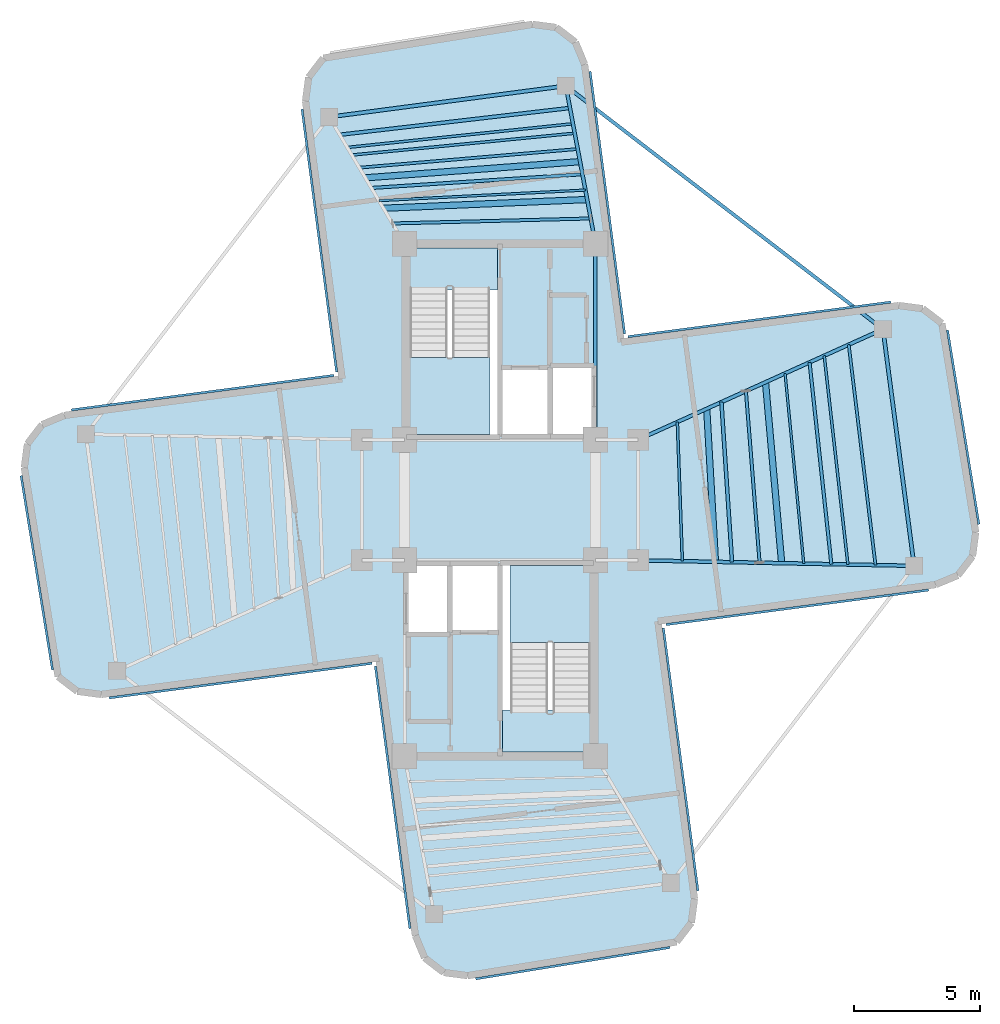
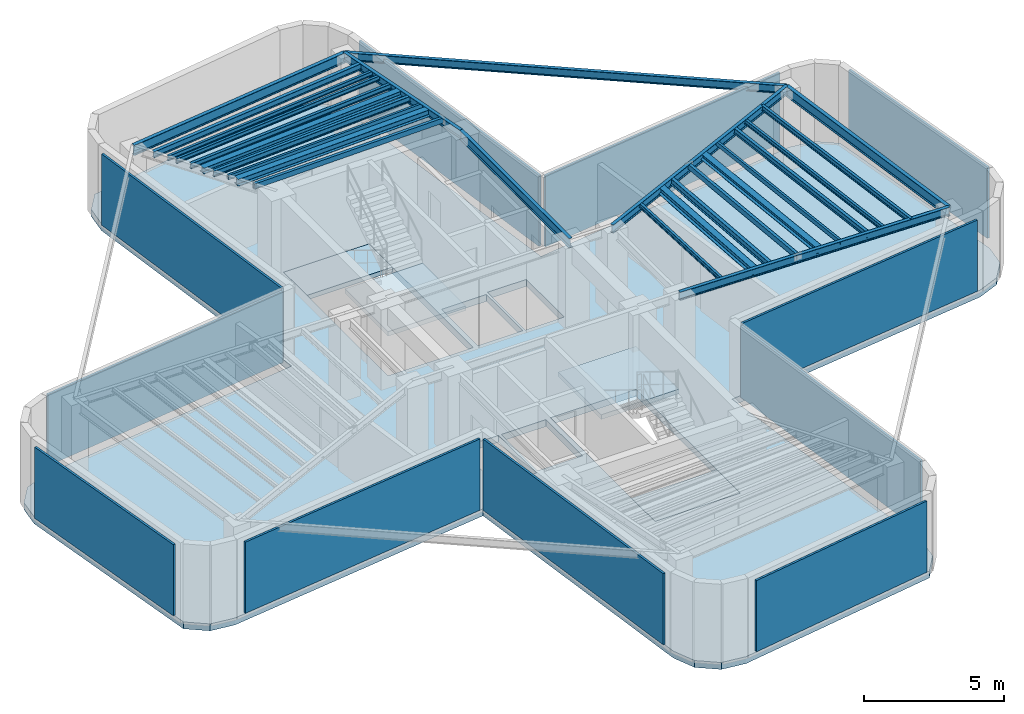
# One storey, part 2 of 6: 25 beams, 11 plates, 5 slabs, 2 elements without a shape of their own.
"""IFC4 building model written with IfcOpenShell, lengths in metres."""

from ifc_helpers import new_model, si_unit, direction, frame, origin, origin_2d, place, context, subcontext, project, spatial, polyline, rectangle, hollow_rectangle, i_section, outline, extrude, source, transform, mapped, material, layer, layer_set, material_profile, profile_set, type_object, element, aggregate, save


model = new_model("IFC4")

# Units and contexts
model_context = context("Model", 3, precision=1e-05, world=origin(), true_north=direction((0.0, 1.0)))
body_context = subcontext(model_context, "Body", "Model", "MODEL_VIEW")
ifc_project = project(units=[si_unit("LENGTHUNIT", "METRE"), si_unit("AREAUNIT", "SQUARE_METRE"), si_unit("VOLUMEUNIT", "CUBIC_METRE"), si_unit("PLANEANGLEUNIT", "RADIAN"), si_unit("MASSUNIT", "GRAM", prefix="KILO")], contexts=[model_context])

# Site, building, storey
site_placement = place(None, origin())
site = spatial("IfcSite", under=ifc_project, at=site_placement, CompositionType="ELEMENT")
building_placement = place(site_placement, origin())
building = spatial("IfcBuilding", under=site, at=building_placement, Name="Sahyath Konkavel Grand Hotel", CompositionType="ELEMENT")
storey_placement = place(building_placement, frame((0.0, 0.0, 288.89990234375)))
storey = spatial("IfcBuildingStorey", under=building, at=storey_placement, Name="L80", CompositionType="ELEMENT", Elevation=288.89990234375)

# Beams
ifc_material_1 = material(Name="Steel E350", Category="steel")
ifc_material_profile_1 = material_profile(ifc_material_1, i_section(OverallWidth=0.139892578125, OverallDepth=0.39990234375, WebThickness=0.0087890625, FlangeThickness=0.01611328125, FilletRadius=0.013916015625, at=origin_2d()), Name="ISMB 400")
ifc_profile_set_1 = profile_set([ifc_material_profile_1], Name="Steel E350")
beam_type_1 = type_object("IfcBeamType", Name="BM-ISMB400", PredefinedType="BEAM", material=ifc_profile_set_1)
shared_shape_1 = source(origin(), body_context, "Body", "SweptSolid", [
    extrude(i_section(OverallWidth=0.139892578125, OverallDepth=0.39990234375, WebThickness=0.0087890625, FlangeThickness=0.01611328125, FilletRadius=0.013916015625, at=origin_2d()), origin(), (0.0, 0.0, 1.0), 7.800048828125),
])
beam_1_placement = place(storey_placement, frame((3.800048828125, 2.39990234375, 3.300048828125), z_axis=(0.0, 1.0, 0.0), x_axis=(-1.0, 0.0, 0.0)))
element("IfcBeam", 1, at=beam_1_placement, inside=storey, type_object=beam_type_1, Name="str:bm:L80:NC-E", PredefinedType="BEAM", context=body_context, shape_type="MappedRepresentation", body=[
    mapped(shared_shape_1, transform((0.0, 0.0, 0.0), scale=1.0)),
])
ifc_material_profile_2 = material_profile(ifc_material_1, i_section(OverallWidth=0.14990234375, OverallDepth=0.449951171875, WebThickness=0.009521484375, FlangeThickness=0.017333984375, FilletRadius=0.014892578125, at=origin_2d()), Name="ISMB 450")
ifc_profile_set_2 = profile_set([ifc_material_profile_2], Name="Steel E350")
beam_type_2 = type_object("IfcBeamType", Name="BM-ISMB450", PredefinedType="BEAM", material=ifc_profile_set_2)
shared_shape_2 = source(origin(), body_context, "Body", "SweptSolid", [
    extrude(i_section(OverallWidth=0.14990234375, OverallDepth=0.449951171875, WebThickness=0.009521484375, FlangeThickness=0.017333984375, FilletRadius=0.014892578125, at=origin_2d()), origin(), (0.0, 0.0, 1.0), 9.5),
])
for number, where, z_axis, x_axis, name in (
    (2, (16.483154296875, -2.620849609375, 3.275146484375), (-0.130525643939, 0.991444933556, 0.0), (-0.991444933556, -0.130525643939, 0.0), "L80 Wing Tip Edge Beam E"),
    (3, (2.620849609375, 16.483154296875, 3.275146484375), (-0.991444933556, -0.130525643939, 0.0), (0.130525643939, -0.991444933556, 0.0), "L80 Wing Tip Edge Beam N"),
):
    element("IfcBeam", number, at=place(storey_placement, frame(where, z_axis=z_axis, x_axis=x_axis)), inside=storey, type_object=beam_type_2, Name=name, PredefinedType="BEAM", context=body_context, shape_type="MappedRepresentation", body=[
        mapped(shared_shape_2, transform((0.0, 0.0, 0.0), scale=1.0)),
    ])
ifc_material_profile_3 = material_profile(ifc_material_1, i_section(OverallWidth=0.139892578125, OverallDepth=0.35009765625, WebThickness=0.008056640625, FlangeThickness=0.01416015625, FilletRadius=0.013916015625, at=origin_2d()), Name="ISMB 350")
ifc_profile_set_3 = profile_set([ifc_material_profile_3], Name="Steel E350")
beam_type_3 = type_object("IfcBeamType", Name="BM-ISMB350", PredefinedType="BEAM", material=ifc_profile_set_3)
shared_shape_3 = source(origin(), body_context, "Body", "SweptSolid", [
    extrude(i_section(OverallWidth=0.139892578125, OverallDepth=0.35009765625, WebThickness=0.008056640625, FlangeThickness=0.01416015625, FilletRadius=0.013916015625, at=origin_2d()), origin(), (0.0, 0.0, 1.0), 10.9853515625),
])
beam_2_placement = place(storey_placement, frame((5.5, -2.39990234375, 3.3251953125), z_axis=(0.999797716106, -0.020112853337, 0.0), x_axis=(0.020112853337, 0.999797716106, 0.0)))
element("IfcBeam", 4, at=beam_2_placement, inside=storey, type_object=beam_type_3, Name="L80 Cruciform Radial Girder EA", PredefinedType="BEAM", context=body_context, shape_type="MappedRepresentation", body=[
    mapped(shared_shape_3, transform((0.0, 0.0, 0.0), scale=1.0)),
])
shared_shape_4 = source(origin(), body_context, "Body", "SweptSolid", [
    extrude(i_section(OverallWidth=0.139892578125, OverallDepth=0.35009765625, WebThickness=0.008056640625, FlangeThickness=0.01416015625, FilletRadius=0.013916015625, at=origin_2d()), origin(), (0.0, 0.0, 1.0), 10.689697265625),
])
beam_3_placement = place(storey_placement, frame((5.5, 2.39990234375, 3.3251953125), z_axis=(0.911447410295, 0.411416599405, 0.0), x_axis=(-0.411416599405, 0.911447410295, 0.0)))
element("IfcBeam", 5, at=beam_3_placement, inside=storey, type_object=beam_type_3, Name="L80 Cruciform Radial Girder EB", PredefinedType="BEAM", context=body_context, shape_type="MappedRepresentation", body=[
    mapped(shared_shape_4, transform((0.0, 0.0, 0.0), scale=1.0)),
])
shared_shape_5 = source(origin(), body_context, "Body", "SweptSolid", [
    extrude(i_section(OverallWidth=0.139892578125, OverallDepth=0.35009765625, WebThickness=0.008056640625, FlangeThickness=0.01416015625, FilletRadius=0.013916015625, at=origin_2d()), origin(), (0.0, 0.0, 1.0), 6.392822265625),
])
beam_4_placement = place(storey_placement, frame((3.800048828125, 10.199951171875, 3.3251953125), z_axis=(-0.184454547999, 0.982841044993, 0.0), x_axis=(-0.982841044993, -0.184454547999, 0.0)))
element("IfcBeam", 6, at=beam_4_placement, inside=storey, type_object=beam_type_3, Name="L80 Cruciform Radial Girder NA", PredefinedType="BEAM", context=body_context, shape_type="MappedRepresentation", body=[
    mapped(shared_shape_5, transform((0.0, 0.0, 0.0), scale=1.0)),
])
shared_shape_6 = source(origin(), body_context, "Body", "SweptSolid", [
    extrude(i_section(OverallWidth=0.139892578125, OverallDepth=0.35009765625, WebThickness=0.008056640625, FlangeThickness=0.01416015625, FilletRadius=0.013916015625, at=origin_2d()), origin(), (0.0, 0.0, 1.0), 15.909912109375),
])
beam_5_placement = place(storey_placement, frame((15.2431640625, 6.7978515625, 3.3251953125), z_axis=(-0.79335758392, 0.608755898564, 0.0), x_axis=(-0.608755898564, -0.79335758392, 0.0)))
element("IfcBeam", 7, at=beam_5_placement, inside=storey, type_object=beam_type_3, Name="L80 Re-Entrant Tie Beam NE", PredefinedType="BEAM", context=body_context, shape_type="MappedRepresentation", body=[
    mapped(shared_shape_6, transform((0.0, 0.0, 0.0), scale=1.0)),
])
ifc_material_profile_4 = material_profile(ifc_material_1, i_section(OverallWidth=0.25, OverallDepth=0.300048828125, WebThickness=0.009521484375, FlangeThickness=0.010498046875, FilletRadius=0.010986328125, at=origin_2d()), Name="ISHB 300")
ifc_profile_set_4 = profile_set([ifc_material_profile_4], Name="Steel E350")
beam_type_4 = type_object("IfcBeamType", Name="BM-ISHB300", PredefinedType="BEAM", material=ifc_profile_set_4)
shared_shape_7 = source(origin(), body_context, "Body", "SweptSolid", [
    extrude(i_section(OverallWidth=0.25, OverallDepth=0.300048828125, WebThickness=0.009521484375, FlangeThickness=0.010498046875, FilletRadius=0.010986328125, at=origin_2d()), origin(), (0.0, 0.0, 1.0), 6.10302734375),
])
beam_6_placement = place(storey_placement, frame((8.5751953125, -2.4619140625, 3.35009765625), z_axis=(-0.056883465537, 0.99838082481, 0.0), x_axis=(-0.99838082481, -0.056883465537, 0.0)))
element("IfcBeam", 8, at=beam_6_placement, inside=storey, type_object=beam_type_4, Name="L80 Secondary Floor Beam E-1", PredefinedType="BEAM", context=body_context, shape_type="MappedRepresentation", body=[
    mapped(shared_shape_7, transform((0.0, 0.0, 0.0), scale=1.0)),
])
ifc_material_profile_5 = material_profile(ifc_material_1, i_section(OverallWidth=0.25, OverallDepth=0.25, WebThickness=0.0087890625, FlangeThickness=0.009765625, FilletRadius=0.010009765625, at=origin_2d()), Name="ISHB 250")
ifc_profile_set_5 = profile_set([ifc_material_profile_5], Name="Steel E350")
beam_type_5 = type_object("IfcBeamType", Name="BM-ISHB250", PredefinedType="BEAM", material=ifc_profile_set_5)
shared_shape_8 = source(origin(), body_context, "Body", "SweptSolid", [
    extrude(i_section(OverallWidth=0.25, OverallDepth=0.25, WebThickness=0.0087890625, FlangeThickness=0.009765625, FilletRadius=0.010009765625, at=origin_2d()), origin(), (0.0, 0.0, 1.0), 7.230712890625),
])
beam_7_placement = place(storey_placement, frame((11.211181640625, -2.514892578125, 3.375), z_axis=(-0.089171800482, 0.996016259907, 0.0), x_axis=(-0.996016259907, -0.089171800482, 0.0)))
element("IfcBeam", 9, at=beam_7_placement, inside=storey, type_object=beam_type_5, Name="L80 Secondary Floor Beam E-2", PredefinedType="BEAM", context=body_context, shape_type="MappedRepresentation", body=[
    mapped(shared_shape_8, transform((0.0, 0.0, 0.0), scale=1.0)),
])
ifc_material_profile_6 = material_profile(ifc_material_1, i_section(OverallWidth=0.10009765625, OverallDepth=0.199951171875, WebThickness=0.005615234375, FlangeThickness=0.0107421875, FilletRadius=0.010986328125, at=origin_2d()), Name="ISMB 200")
ifc_profile_set_6 = profile_set([ifc_material_profile_6], Name="Steel E350")
beam_type_6 = type_object("IfcBeamType", Name="BM-ISMB200", PredefinedType="BEAM", material=ifc_profile_set_6)
shared_shape_9 = source(origin(), body_context, "Body", "SweptSolid", [
    extrude(i_section(OverallWidth=0.10009765625, OverallDepth=0.199951171875, WebThickness=0.005615234375, FlangeThickness=0.0107421875, FilletRadius=0.010986328125, at=origin_2d()), origin(), (0.0, 0.0, 1.0), 8.36328125),
])
beam_8_placement = place(storey_placement, frame((13.84716796875, -2.56787109375, 3.400146484375), z_axis=(-0.112680437677, 0.99363127918, 0.0), x_axis=(-0.99363127918, -0.112680437677, 0.0)))
element("IfcBeam", 10, at=beam_8_placement, inside=storey, type_object=beam_type_6, Name="L80 Secondary Floor Beam E-3", PredefinedType="BEAM", context=body_context, shape_type="MappedRepresentation", body=[
    mapped(shared_shape_9, transform((0.0, 0.0, 0.0), scale=1.0)),
])
shared_shape_10 = source(origin(), body_context, "Body", "SweptSolid", [
    extrude(i_section(OverallWidth=0.25, OverallDepth=0.300048828125, WebThickness=0.009521484375, FlangeThickness=0.010498046875, FilletRadius=0.010986328125, at=origin_2d()), origin(), (0.0, 0.0, 1.0), 8.11669921875),
])
beam_9_placement = place(storey_placement, frame((3.469970703125, 11.959228515625, 3.35009765625), z_axis=(-0.999084879956, -0.042771516718, 0.0), x_axis=(0.042771516718, -0.999084879956, 0.0)))
element("IfcBeam", 11, at=beam_9_placement, inside=storey, type_object=beam_type_4, Name="L80 Secondary Floor Beam N-1", PredefinedType="BEAM", context=body_context, shape_type="MappedRepresentation", body=[
    mapped(shared_shape_10, transform((0.0, 0.0, 0.0), scale=1.0)),
])
shared_shape_11 = source(origin(), body_context, "Body", "SweptSolid", [
    extrude(i_section(OverallWidth=0.25, OverallDepth=0.25, WebThickness=0.0087890625, FlangeThickness=0.009765625, FilletRadius=0.010009765625, at=origin_2d()), origin(), (0.0, 0.0, 1.0), 8.570068359375),
])
beam_10_placement = place(storey_placement, frame((3.18701171875, 13.46728515625, 3.375), z_axis=(-0.997165854664, -0.075234688098, 0.0), x_axis=(0.075234688098, -0.997165854664, 0.0)))
element("IfcBeam", 12, at=beam_10_placement, inside=storey, type_object=beam_type_5, Name="L80 Secondary Floor Beam N-2", PredefinedType="BEAM", context=body_context, shape_type="MappedRepresentation", body=[
    mapped(shared_shape_11, transform((0.0, 0.0, 0.0), scale=1.0)),
])
shared_shape_12 = source(origin(), body_context, "Body", "SweptSolid", [
    extrude(i_section(OverallWidth=0.10009765625, OverallDepth=0.199951171875, WebThickness=0.005615234375, FlangeThickness=0.0107421875, FilletRadius=0.010986328125, at=origin_2d()), origin(), (0.0, 0.0, 1.0), 9.031494140625),
])
beam_11_placement = place(storey_placement, frame((2.90380859375, 14.97509765625, 3.400146484375), z_axis=(-0.994541240043, -0.104344246869, 0.0), x_axis=(0.104344246869, -0.994541240043, 0.0)))
element("IfcBeam", 13, at=beam_11_placement, inside=storey, type_object=beam_type_6, Name="L80 Secondary Floor Beam N-3", PredefinedType="BEAM", context=body_context, shape_type="MappedRepresentation", body=[
    mapped(shared_shape_12, transform((0.0, 0.0, 0.0), scale=1.0)),
])
shared_shape_13 = source(origin(), body_context, "Body", "SweptSolid", [
    extrude(i_section(OverallWidth=0.10009765625, OverallDepth=0.199951171875, WebThickness=0.005615234375, FlangeThickness=0.0107421875, FilletRadius=0.010986328125, at=origin_2d()), origin(), (0.0, 0.0, 1.0), 5.54248046875),
])
beam_12_placement = place(storey_placement, frame((7.25732421875, -2.435302734375, 3.400146484375), z_axis=(-0.035812512973, 0.999358526213, 0.0), x_axis=(-0.999358526213, -0.035812512973, 0.0)))
element("IfcBeam", 14, at=beam_12_placement, inside=storey, type_object=beam_type_6, Name="L80 Composite Deck Sub-Beam E-1", PredefinedType="BEAM", context=body_context, shape_type="MappedRepresentation", body=[
    mapped(shared_shape_13, transform((0.0, 0.0, 0.0), scale=1.0)),
])
ifc_material_profile_7 = material_profile(ifc_material_1, i_section(OverallWidth=0.139892578125, OverallDepth=0.27490234375, WebThickness=0.00634765625, FlangeThickness=0.0087890625, FilletRadius=0.012939453125, at=origin_2d()), Name="ISLB 275")
ifc_profile_set_7 = profile_set([ifc_material_profile_7], Name="Steel E350")
beam_type_7 = type_object("IfcBeamType", Name="BM-ISLB275", PredefinedType="BEAM", material=ifc_profile_set_7)
shared_shape_14 = source(origin(), body_context, "Body", "SweptSolid", [
    extrude(i_section(OverallWidth=0.139892578125, OverallDepth=0.27490234375, WebThickness=0.00634765625, FlangeThickness=0.0087890625, FilletRadius=0.012939453125, at=origin_2d()), origin(), (0.0, 0.0, 1.0), 6.38427734375),
])
beam_13_placement = place(storey_placement, frame((9.234375, -2.47509765625, 3.362548828125), z_axis=(-0.066041839115, 0.997816854681, 0.0), x_axis=(-0.997816854681, -0.066041839115, 0.0)))
element("IfcBeam", 15, at=beam_13_placement, inside=storey, type_object=beam_type_7, Name="L80 Composite Deck Sub-Beam E-2", PredefinedType="BEAM", context=body_context, shape_type="MappedRepresentation", body=[
    mapped(shared_shape_14, transform((0.0, 0.0, 0.0), scale=1.0)),
])
ifc_material_profile_8 = material_profile(ifc_material_1, hollow_rectangle(XDim=0.1201171875, YDim=0.219970703125, WallThickness=0.010009765625, at=origin_2d()), Name="RHS 220x120x10")
ifc_profile_set_8 = profile_set([ifc_material_profile_8], Name="Steel E350")
beam_type_8 = type_object("IfcBeamType", Name="BM-RHS220", PredefinedType="BEAM", material=ifc_profile_set_8)
shared_shape_15 = source(origin(), body_context, "Body", "SweptSolid", [
    extrude(hollow_rectangle(XDim=0.1201171875, YDim=0.219970703125, WallThickness=0.010009765625, at=origin_2d()), origin(), (0.0, 0.0, 1.0), 6.85400390625),
])
beam_14_placement = place(storey_placement, frame((10.33251953125, -2.497314453125, 3.39013671875), z_axis=(-0.079575331875, 0.996828855199, 0.0), x_axis=(-0.996828855199, -0.079575331875, 0.0)))
element("IfcBeam", 16, at=beam_14_placement, inside=storey, type_object=beam_type_8, Name="L80 Composite Deck Sub-Beam E-3", PredefinedType="BEAM", context=body_context, shape_type="MappedRepresentation", body=[
    mapped(shared_shape_15, transform((0.0, 0.0, 0.0), scale=1.0)),
])
ifc_material_profile_9 = material_profile(ifc_material_1, hollow_rectangle(XDim=0.090087890625, YDim=0.179931640625, WallThickness=0.008056640625, at=origin_2d()), Name="RHS 180x90x8")
ifc_profile_set_9 = profile_set([ifc_material_profile_9], Name="Steel E350")
beam_type_9 = type_object("IfcBeamType", Name="BM-RHS180", PredefinedType="BEAM", material=ifc_profile_set_9)
shared_shape_16 = source(origin(), body_context, "Body", "SweptSolid", [
    extrude(hollow_rectangle(XDim=0.090087890625, YDim=0.179931640625, WallThickness=0.008056640625, at=origin_2d()), origin(), (0.0, 0.0, 1.0), 7.607666015625),
])
beam_15_placement = place(storey_placement, frame((12.08984375, -2.532470703125, 3.41015625), z_axis=(-0.09778145576, 0.995207911398, 0.0), x_axis=(-0.995207911398, -0.09778145576, 0.0)))
element("IfcBeam", 17, at=beam_15_placement, inside=storey, type_object=beam_type_9, Name="L80 Composite Deck Sub-Beam E-4", PredefinedType="BEAM", context=body_context, shape_type="MappedRepresentation", body=[
    mapped(shared_shape_16, transform((0.0, 0.0, 0.0), scale=1.0)),
])
ifc_material_profile_10 = material_profile(ifc_material_1, i_section(OverallWidth=0.125, OverallDepth=0.25, WebThickness=0.0068359375, FlangeThickness=0.012451171875, FilletRadius=0.012939453125, at=origin_2d()), Name="ISMB 250")
ifc_profile_set_10 = profile_set([ifc_material_profile_10], Name="Steel E350")
beam_type_10 = type_object("IfcBeamType", Name="BM-ISMB250", PredefinedType="BEAM", material=ifc_profile_set_10)
shared_shape_17 = source(origin(), body_context, "Body", "SweptSolid", [
    extrude(i_section(OverallWidth=0.125, OverallDepth=0.25, WebThickness=0.0068359375, FlangeThickness=0.012451171875, FilletRadius=0.012939453125, at=origin_2d()), origin(), (0.0, 0.0, 1.0), 8.079833984375),
])
beam_16_placement = place(storey_placement, frame((13.188232421875, -2.5546875, 3.375), z_axis=(-0.107416459243, 0.994214113903, 0.0), x_axis=(-0.994214113903, -0.107416459243, 0.0)))
element("IfcBeam", 18, at=beam_16_placement, inside=storey, type_object=beam_type_10, Name="L80 Composite Deck Sub-Beam E-5", PredefinedType="BEAM", context=body_context, shape_type="MappedRepresentation", body=[
    mapped(shared_shape_17, transform((0.0, 0.0, 0.0), scale=1.0)),
])
ifc_material_profile_11 = material_profile(ifc_material_1, i_section(OverallWidth=0.110107421875, OverallDepth=0.22509765625, WebThickness=0.006591796875, FlangeThickness=0.01171875, FilletRadius=0.011962890625, at=origin_2d()), Name="ISMB 225")
ifc_profile_set_11 = profile_set([ifc_material_profile_11], Name="Steel E350")
beam_type_11 = type_object("IfcBeamType", Name="BM-ISMB225", PredefinedType="BEAM", material=ifc_profile_set_11)
shared_shape_18 = source(origin(), body_context, "Body", "SweptSolid", [
    extrude(i_section(OverallWidth=0.110107421875, OverallDepth=0.22509765625, WebThickness=0.006591796875, FlangeThickness=0.01171875, FilletRadius=0.011962890625, at=origin_2d()), origin(), (0.0, 0.0, 1.0), 8.8369140625),
])
beam_17_placement = place(storey_placement, frame((14.945556640625, -2.590087890625, 3.3876953125), z_axis=(-0.120677894343, 0.992691717411, 0.0), x_axis=(-0.992691717411, -0.120677894343, 0.0)))
element("IfcBeam", 19, at=beam_17_placement, inside=storey, type_object=beam_type_11, Name="L80 Composite Deck Sub-Beam E-6", PredefinedType="BEAM", context=body_context, shape_type="MappedRepresentation", body=[
    mapped(shared_shape_18, transform((0.0, 0.0, 0.0), scale=1.0)),
])
shared_shape_19 = source(origin(), body_context, "Body", "SweptSolid", [
    extrude(hollow_rectangle(XDim=0.1201171875, YDim=0.219970703125, WallThickness=0.010009765625, at=origin_2d()), origin(), (0.0, 0.0, 1.0), 7.893310546875),
])
beam_18_placement = place(storey_placement, frame((3.611328125, 11.205322265625, 3.39013671875), z_axis=(-0.999683790083, -0.025145970772, 0.0), x_axis=(0.025145970772, -0.999683790083, 0.0)))
element("IfcBeam", 20, at=beam_18_placement, inside=storey, type_object=beam_type_8, Name="L80 Composite Deck Sub-Beam N-1", PredefinedType="BEAM", context=body_context, shape_type="MappedRepresentation", body=[
    mapped(shared_shape_19, transform((0.0, 0.0, 0.0), scale=1.0)),
])
shared_shape_20 = source(origin(), body_context, "Body", "SweptSolid", [
    extrude(hollow_rectangle(XDim=0.090087890625, YDim=0.179931640625, WallThickness=0.008056640625, at=origin_2d()), origin(), (0.0, 0.0, 1.0), 8.229248046875),
])
beam_19_placement = place(storey_placement, frame((3.399169921875, 12.336181640625, 3.41015625), z_axis=(-0.998688130329, -0.051205647534, 0.0), x_axis=(0.051205647534, -0.998688130329, 0.0)))
element("IfcBeam", 21, at=beam_19_placement, inside=storey, type_object=beam_type_9, Name="L80 Composite Deck Sub-Beam N-2", PredefinedType="BEAM", context=body_context, shape_type="MappedRepresentation", body=[
    mapped(shared_shape_20, transform((0.0, 0.0, 0.0), scale=1.0)),
])
shared_shape_21 = source(origin(), body_context, "Body", "SweptSolid", [
    extrude(i_section(OverallWidth=0.125, OverallDepth=0.25, WebThickness=0.0068359375, FlangeThickness=0.012451171875, FilletRadius=0.012939453125, at=origin_2d()), origin(), (0.0, 0.0, 1.0), 8.41796875),
])
beam_20_placement = place(storey_placement, frame((3.28125, 12.964599609375, 3.375), z_axis=(-0.997896901011, -0.064821099595, 0.0), x_axis=(0.064821099595, -0.997896901011, 0.0)))
element("IfcBeam", 22, at=beam_20_placement, inside=storey, type_object=beam_type_10, Name="L80 Composite Deck Sub-Beam N-3", PredefinedType="BEAM", context=body_context, shape_type="MappedRepresentation", body=[
    mapped(shared_shape_21, transform((0.0, 0.0, 0.0), scale=1.0)),
])
shared_shape_22 = source(origin(), body_context, "Body", "SweptSolid", [
    extrude(i_section(OverallWidth=0.110107421875, OverallDepth=0.22509765625, WebThickness=0.006591796875, FlangeThickness=0.01171875, FilletRadius=0.011962890625, at=origin_2d()), origin(), (0.0, 0.0, 1.0), 8.722900390625),
])
beam_21_placement = place(storey_placement, frame((3.092529296875, 13.969970703125, 3.3876953125), z_axis=(-0.996354605721, -0.085308262542, 0.0), x_axis=(0.085308262542, -0.996354605721, 0.0)))
element("IfcBeam", 23, at=beam_21_placement, inside=storey, type_object=beam_type_11, Name="L80 Composite Deck Sub-Beam N-4", PredefinedType="BEAM", context=body_context, shape_type="MappedRepresentation", body=[
    mapped(shared_shape_22, transform((0.0, 0.0, 0.0), scale=1.0)),
])
shared_shape_23 = source(origin(), body_context, "Body", "SweptSolid", [
    extrude(i_section(OverallWidth=0.10009765625, OverallDepth=0.199951171875, WebThickness=0.005615234375, FlangeThickness=0.0107421875, FilletRadius=0.010986328125, at=origin_2d()), origin(), (0.0, 0.0, 1.0), 8.915283203125),
])
beam_22_placement = place(storey_placement, frame((2.974609375, 14.59814453125, 3.400146484375), z_axis=(-0.995250138935, -0.097350711092, 0.0), x_axis=(0.097350711092, -0.995250138935, 0.0)))
element("IfcBeam", 24, at=beam_22_placement, inside=storey, type_object=beam_type_6, Name="L80 Composite Deck Sub-Beam N-5", PredefinedType="BEAM", context=body_context, shape_type="MappedRepresentation", body=[
    mapped(shared_shape_23, transform((0.0, 0.0, 0.0), scale=1.0)),
])
shared_shape_24 = source(origin(), body_context, "Body", "SweptSolid", [
    extrude(i_section(OverallWidth=0.139892578125, OverallDepth=0.27490234375, WebThickness=0.00634765625, FlangeThickness=0.0087890625, FilletRadius=0.012939453125, at=origin_2d()), origin(), (0.0, 0.0, 1.0), 9.225830078125),
])
beam_23_placement = place(storey_placement, frame((2.785888671875, 15.603515625, 3.362548828125), z_axis=(-0.993297209422, -0.115588294191, 0.0), x_axis=(0.115588294191, -0.993297209422, 0.0)))
element("IfcBeam", 25, at=beam_23_placement, inside=storey, type_object=beam_type_7, Name="L80 Composite Deck Sub-Beam N-6", PredefinedType="BEAM", context=body_context, shape_type="MappedRepresentation", body=[
    mapped(shared_shape_24, transform((0.0, 0.0, 0.0), scale=1.0)),
])

# Slab
ifc_material_2 = material(Name="Concrete C40/50", Category="concrete")
ifc_layer_1 = layer(ifc_material_2, 0.300048828125)
ifc_layer_set_1 = layer_set([ifc_layer_1], Name="Concrete C40/50")
slab_type_1 = type_object("IfcSlabType", Name="SLB-300", PredefinedType="FLOOR", material=ifc_layer_set_1)
slab_1_placement = place(storey_placement, frame((0.0, 0.0, -0.2998046875)))
element("IfcSlab", 26, at=slab_1_placement, inside=storey, type_object=slab_type_1, Name="L80 Structural Floor Slab", PredefinedType="FLOOR", context=body_context, shape_type="SweptSolid", body=[
    extrude(outline(polyline([(6.282958984375, -4.821044921875), (17.337646484375, -3.36572265625), (18.222412109375, -2.999267578125), (18.805419921875, -2.239501953125), (18.930419921875, -1.2900390625), (17.5849609375, 7.030517578125), (16.8251953125, 7.61328125), (15.875732421875, 7.73828125), (4.821044921875, 6.282958984375), (3.36572265625, 17.337646484375), (2.999267578125, 18.222412109375), (2.239501953125, 18.805419921875), (1.2900390625, 18.930419921875), (-7.030517578125, 17.5849609375), (-7.61328125, 16.8251953125), (-7.73828125, 15.875732421875), (-6.282958984375, 4.821044921875), (-17.337646484375, 3.36572265625), (-18.222412109375, 2.999267578125), (-18.805419921875, 2.239501953125), (-18.930419921875, 1.2900390625), (-17.5849609375, -7.030517578125), (-16.8251953125, -7.61328125), (-15.875732421875, -7.73828125), (-4.821044921875, -6.282958984375), (-3.36572265625, -17.337646484375), (-2.999267578125, -18.222412109375), (-2.239501953125, -18.805419921875), (-1.2900390625, -18.930419921875), (7.030517578125, -17.5849609375), (7.61328125, -16.8251953125), (7.73828125, -15.875732421875), (6.282958984375, -4.821044921875)]), holes=[polyline([(-3.6201171875, 2.580078125), (-0.10009765625, 2.580078125), (-0.10009765625, 10.02001953125), (-3.6201171875, 10.02001953125), (-3.6201171875, 2.580078125)]), polyline([(0.10009765625, -10.02001953125), (3.6201171875, -10.02001953125), (3.6201171875, -2.580078125), (0.10009765625, -2.580078125), (0.10009765625, -10.02001953125)]), polyline([(0.10009765625, 2.60009765625), (1.949951171875, 2.60009765625), (1.949951171875, 5.199951171875), (0.10009765625, 5.199951171875), (0.10009765625, 2.60009765625)]), polyline([(-1.949951171875, -5.199951171875), (-0.10009765625, -5.199951171875), (-0.10009765625, -2.60009765625), (-1.949951171875, -2.60009765625), (-1.949951171875, -5.199951171875)]), polyline([(2.050048828125, 2.60009765625), (3.64990234375, 2.60009765625), (3.64990234375, 5.300048828125), (2.050048828125, 5.300048828125), (2.050048828125, 2.60009765625)]), polyline([(-3.64990234375, -5.300048828125), (-2.050048828125, -5.300048828125), (-2.050048828125, -2.60009765625), (-3.64990234375, -2.60009765625), (-3.64990234375, -5.300048828125)])]), origin(), (0.0, 0.0, 1.0), 0.2998046875),
])

# Stair, slab
stair_type = type_object("IfcStairType", Name="STR-ST16-380", PredefinedType="HALF_TURN_STAIR", material=ifc_material_2)
stair_1_placement = place(storey_placement, origin())
stair_1 = element("IfcStair", 27, at=stair_1_placement, inside=storey, type_object=stair_type, Name="L80 North Core Smokeproof Exit Stair ST-1", PredefinedType="HALF_TURN_STAIR")
ifc_layer_2 = layer(ifc_material_2, 0.199951171875)
ifc_layer_set_2 = layer_set([ifc_layer_2], Name="Concrete C40/50")
slab_type_2 = type_object("IfcSlabType", Name="SLB-STAIR-LND", PredefinedType="LANDING", material=ifc_layer_set_2)
slab_2_placement = place(storey_placement, frame((0.0, 0.0, 1.7001953125)))
slab_2 = element("IfcSlab", 28, at=slab_2_placement, type_object=slab_type_2, Name="ST-1 landing 1", PredefinedType="LANDING", context=body_context, shape_type="SweptSolid", body=[
    extrude(outline(polyline([(-3.60009765625, 5.679931640625), (-3.60009765625, 2.60009765625), (-0.39990234375, 2.60009765625), (-0.39990234375, 5.679931640625), (-3.60009765625, 5.679931640625)])), origin(), (0.0, 0.0, 1.0), 0.199951171875),
])
aggregate(stair_1, [slab_2])

stair_2_placement = place(storey_placement, origin())
stair_2 = element("IfcStair", 29, at=stair_2_placement, inside=storey, type_object=stair_type, Name="L80 South Core Smokeproof Exit Stair ST-2", PredefinedType="HALF_TURN_STAIR")
slab_3_placement = place(storey_placement, frame((0.0, 0.0, 1.7001953125)))
slab_3 = element("IfcSlab", 30, at=slab_3_placement, type_object=slab_type_2, Name="ST-2 landing 1", PredefinedType="LANDING", context=body_context, shape_type="SweptSolid", body=[
    extrude(outline(polyline([(3.60009765625, -5.679931640625), (3.60009765625, -2.60009765625), (0.39990234375, -2.60009765625), (0.39990234375, -5.679931640625), (3.60009765625, -5.679931640625)])), origin(), (0.0, 0.0, 1.0), 0.199951171875),
])
aggregate(stair_2, [slab_3])

# Slabs
slab_4_placement = place(storey_placement, frame((0.0, 0.0, -0.199951171875)))
element("IfcSlab", 31, at=slab_4_placement, inside=storey, type_object=slab_type_2, Name="L80 Stair ST-1 Floor Landing Slab", PredefinedType="LANDING", context=body_context, shape_type="SweptSolid", body=[
    extrude(outline(polyline([(-3.6201171875, 8.35009765625), (-0.10009765625, 8.35009765625), (-0.10009765625, 10.02001953125), (-3.6201171875, 10.02001953125), (-3.6201171875, 8.35009765625)])), origin(), (0.0, 0.0, 1.0), 0.199951171875),
])
slab_5_placement = place(storey_placement, frame((0.0, 0.0, -0.199951171875)))
element("IfcSlab", 32, at=slab_5_placement, inside=storey, type_object=slab_type_2, Name="L80 Stair ST-2 Floor Landing Slab", PredefinedType="LANDING", context=body_context, shape_type="SweptSolid", body=[
    extrude(outline(polyline([(0.10009765625, -10.02001953125), (3.6201171875, -10.02001953125), (3.6201171875, -8.35009765625), (0.10009765625, -8.35009765625), (0.10009765625, -10.02001953125)])), origin(), (0.0, 0.0, 1.0), 0.199951171875),
])

# Plates
ifc_material_3 = material(Name="Warm Buff Sandstone Perforated Cladding", Category="masonry")
ifc_layer_3 = layer(ifc_material_3, 0.090087890625)
ifc_layer_set_3 = layer_set([ifc_layer_3], Name="Warm Buff Sandstone Perforated Cladding")
plate_type = type_object("IfcPlateType", Name="PNL-CROWN-LOUVRE", PredefinedType="SHEET", material=ifc_layer_set_3)
shared_shape_25 = source(origin(), body_context, "Body", "SweptSolid", [
    extrude(rectangle(XDim=10.550048828125, YDim=0.090087890625, at=origin_2d()), origin(), (0.0, 0.0, 1.0), 3.10009765625),
])
for number, where, z_axis, x_axis, name in (
    (33, (11.833740234375, -4.27197265625, 0.199951171875), (0.0, 0.0, 1.0), (0.991444861374, 0.13052619222, 0.0), "L80 Crown Perforated Sandstone Louvre Screen 0"),
    (34, (10.324951171875, 7.189208984375, 0.199951171875), (0.0, 0.0, 1.0), (-0.991444861374, -0.13052619222, 0.0), "L80 Crown Perforated Sandstone Louvre Screen 7"),
    (35, (4.27197265625, 11.833740234375, 0.199951171875), (0.0, 0.0, 1.0), (-0.13052619222, 0.991444861374, 0.0), "L80 Crown Perforated Sandstone Louvre Screen 8"),
    (36, (-7.189208984375, 10.324951171875, 0.199951171875), (0.0, 0.0, 1.0), (0.13052619222, -0.991444861374, 0.0), "L80 Crown Perforated Sandstone Louvre Screen 15"),
    (37, (-11.833740234375, 4.27197265625, 0.199951171875), (0.0, 0.0, 1.0), (-0.991444861374, -0.13052619222, 0.0), "L80 Crown Perforated Sandstone Louvre Screen 16"),
    (38, (-10.324951171875, -7.189208984375, 0.199951171875), (0.0, 0.0, 1.0), (0.991444861374, 0.13052619222, 0.0), "L80 Crown Perforated Sandstone Louvre Screen 23"),
    (39, (-4.27197265625, -11.833740234375, 0.199951171875), (0.0, 0.0, 1.0), (0.13052619222, -0.991444861374, 0.0), "L80 Crown Perforated Sandstone Louvre Screen 24"),
    (40, (7.189208984375, -10.324951171875, 0.199951171875), (0.0, 0.0, 1.0), (-0.13052619222, 0.991444861374, 0.0), "L80 Crown Perforated Sandstone Louvre Screen 31"),
):
    element("IfcPlate", number, at=place(storey_placement, frame(where, z_axis=z_axis, x_axis=x_axis)), inside=storey, type_object=plate_type, Name=name, PredefinedType="SHEET", context=body_context, shape_type="MappedRepresentation", body=[
        mapped(shared_shape_25, transform((0.0, 0.0, 0.0), scale=1.0)),
    ])
shared_shape_26 = source(origin(), body_context, "Body", "SweptSolid", [
    extrude(rectangle(XDim=7.8291015625, YDim=0.090087890625, at=origin_2d()), origin(), (0.0, 0.0, 1.0), 3.10009765625),
])
for number, where, z_axis, x_axis, name in (
    (41, (18.435302734375, 2.89892578125, 0.199951171875), (0.0, 0.0, 1.0), (-0.159622750546, 0.987178088041, 0.0), "L80 Crown Perforated Sandstone Louvre Screen 4"),
    (42, (-18.435302734375, -2.89892578125, 0.199951171875), (0.0, 0.0, 1.0), (0.159622750546, -0.987178088041, 0.0), "L80 Crown Perforated Sandstone Louvre Screen 20"),
    (43, (2.89892578125, -18.435302734375, 0.199951171875), (0.0, 0.0, 1.0), (0.987178088041, 0.159622750546, 0.0), "L80 Crown Perforated Sandstone Louvre Screen 28"),
):
    element("IfcPlate", number, at=place(storey_placement, frame(where, z_axis=z_axis, x_axis=x_axis)), inside=storey, type_object=plate_type, Name=name, PredefinedType="SHEET", context=body_context, shape_type="MappedRepresentation", body=[
        mapped(shared_shape_26, transform((0.0, 0.0, 0.0), scale=1.0)),
    ])

save(model, "model.ifc")
